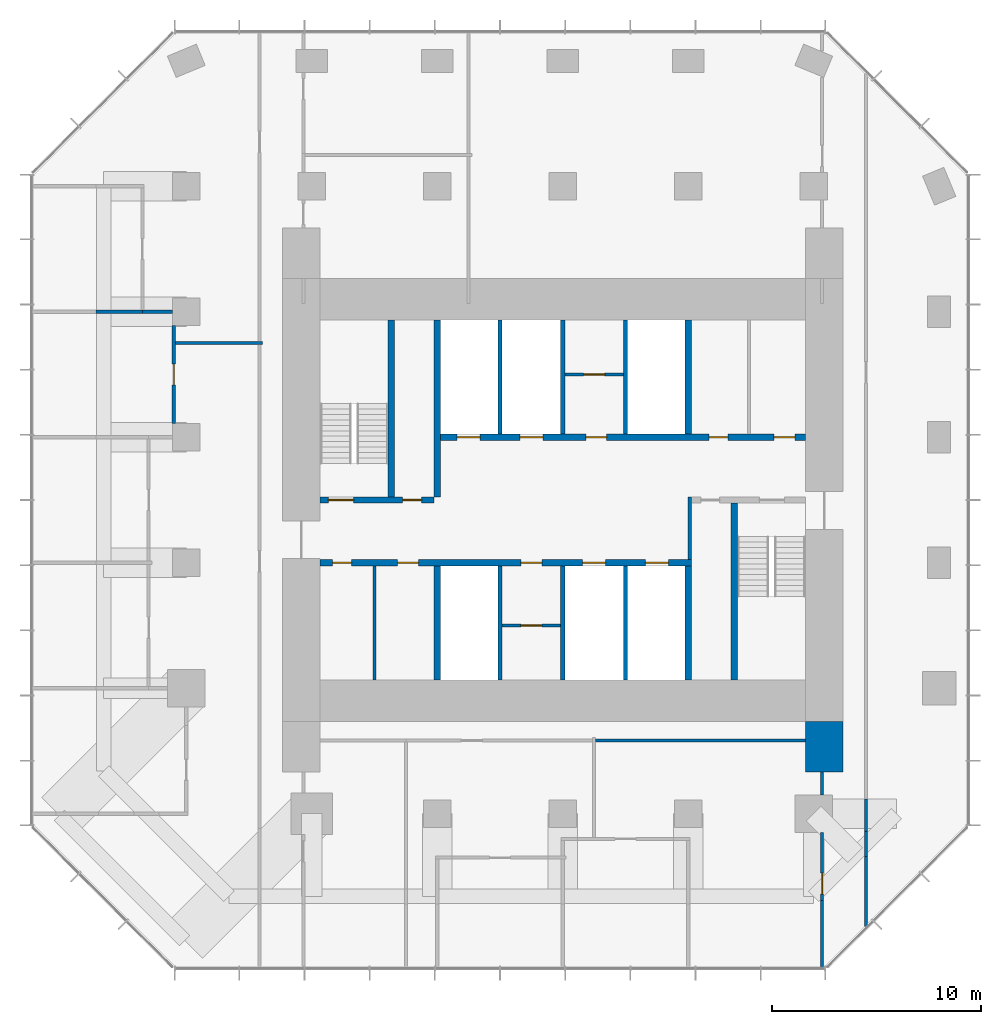
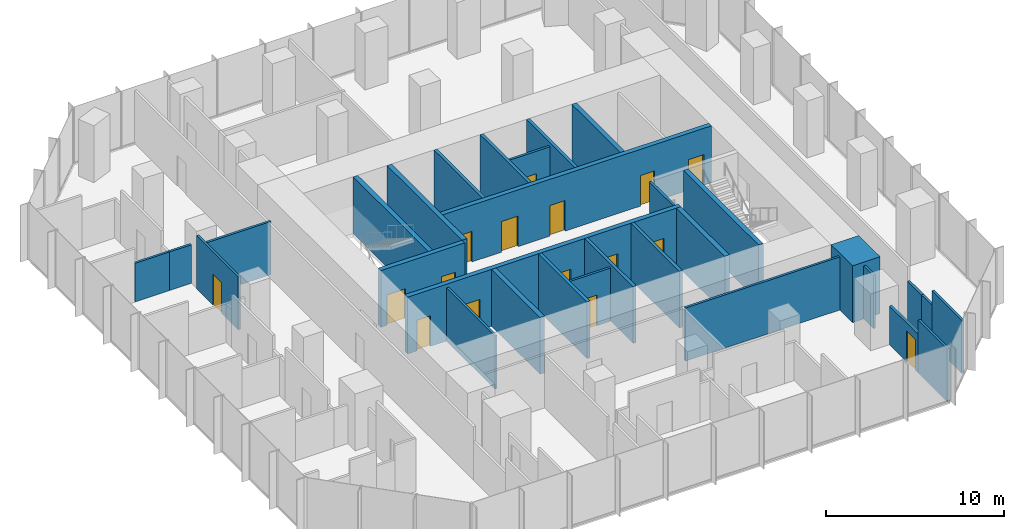
# One storey, part 9 of 11: 31 walls, 16 doors, 16 openings.
"""IFC4 building model written with IfcOpenShell, lengths in metres."""

from ifc_helpers import new_model, si_unit, direction, frame, frame_2d, origin, place, context, subcontext, project, spatial, rectangle, extrude, material, layer, layer_set, type_object, element, fill, save


model = new_model("IFC4")

# Units and contexts
model_context = context("Model", 3, precision=1e-05, world=origin(), true_north=direction((0.0, 1.0)))
body_context = subcontext(model_context, "Body", "Model", "MODEL_VIEW")
ifc_project = project(units=[si_unit("LENGTHUNIT", "METRE"), si_unit("AREAUNIT", "SQUARE_METRE"), si_unit("VOLUMEUNIT", "CUBIC_METRE"), si_unit("PLANEANGLEUNIT", "RADIAN"), si_unit("MASSUNIT", "GRAM", prefix="KILO")], contexts=[model_context])

# Site, building, storey
site_placement = place(None, origin())
site = spatial("IfcSite", under=ifc_project, at=site_placement, CompositionType="ELEMENT")
building_placement = place(site_placement, origin())
building = spatial("IfcBuilding", under=site, at=building_placement, Name="Highveld Stack Headquarters", CompositionType="ELEMENT")
storey_placement = place(building_placement, frame((0.0, 0.0, 227.89990234375)))
storey = spatial("IfcBuildingStorey", under=building, at=storey_placement, Name="L56", CompositionType="ELEMENT", Elevation=227.89990234375)

# Wall, openings, doors
ifc_material_1 = material(Name="Concrete C60/75", Category="concrete")
ifc_layer_1 = layer(ifc_material_1, 0.300048828125)
ifc_layer_set_1 = layer_set([ifc_layer_1], Name="Concrete C60/75")
wall_type_1 = type_object("IfcWallType", Name="CORE WALL 300 C60/75", PredefinedType="SHEAR", material=ifc_layer_set_1)
wall_1_placement = place(storey_placement, frame((-5.60009765625, 0.0, 0.0), z_axis=(0.0, 0.0, 1.0), x_axis=(1.0, 0.0, 0.0)))
wall_1 = element("IfcWall", 1, at=wall_1_placement, inside=storey, type_object=wall_type_1, Name="Core wall I-Y0 L56", PredefinedType="SHEAR", context=body_context, shape_type="SweptSolid", body=[
    extrude(rectangle(XDim=17.75, YDim=0.300048828125, at=frame_2d((8.875, 0.0))), origin(), (0.0, 0.0, 1.0), 3.900146484375),
])
opening_1_placement = place(wall_1_placement, frame((0.60009765625, 0.0, 0.0)))
opening_1 = element("IfcOpeningElement", 2, at=opening_1_placement, cuts=wall_1, Name="Opening L56-07", PredefinedType="OPENING", context=body_context, shape_type="SweptSolid", body=[
    extrude(rectangle(XDim=0.89990234375, YDim=2.10009765625, at=frame_2d((0.449951171875, 1.050048828125))), frame((0.0, 0.159912109375, 0.0), z_axis=(0.0, -1.0, 0.0), x_axis=(1.0, 0.0, 0.0)), (0.0, 0.0, 1.0), 0.320068359375),
])
opening_2_placement = place(wall_1_placement, frame((3.699951171875, 0.0, 0.0)))
opening_2 = element("IfcOpeningElement", 3, at=opening_2_placement, cuts=wall_1, Name="Opening L56-08", PredefinedType="OPENING", context=body_context, shape_type="SweptSolid", body=[
    extrude(rectangle(XDim=1.0, YDim=2.10009765625, at=frame_2d((0.5, 1.050048828125))), frame((0.0, 0.159912109375, 0.0), z_axis=(0.0, -1.0, 0.0), x_axis=(1.0, 0.0, 0.0)), (0.0, 0.0, 1.0), 0.320068359375),
])
opening_3_placement = place(wall_1_placement, frame((9.60009765625, 0.0, 0.0)))
opening_3 = element("IfcOpeningElement", 4, at=opening_3_placement, cuts=wall_1, Name="Opening L56-14", PredefinedType="OPENING", context=body_context, shape_type="SweptSolid", body=[
    extrude(rectangle(XDim=1.0, YDim=2.10009765625, at=frame_2d((0.5, 1.050048828125))), frame((0.0, 0.159912109375, 0.0), z_axis=(0.0, -1.0, 0.0), x_axis=(1.0, 0.0, 0.0)), (0.0, 0.0, 1.0), 0.320068359375),
])
opening_4_placement = place(wall_1_placement, frame((12.550048828125, 0.0, 0.0)))
opening_4 = element("IfcOpeningElement", 5, at=opening_4_placement, cuts=wall_1, Name="Opening LD", PredefinedType="OPENING", context=body_context, shape_type="SweptSolid", body=[
    extrude(rectangle(XDim=1.10009765625, YDim=2.10009765625, at=frame_2d((0.550048828125, 1.050048828125))), frame((0.0, 0.159912109375, 0.0), z_axis=(0.0, -1.0, 0.0), x_axis=(1.0, 0.0, 0.0)), (0.0, 0.0, 1.0), 0.320068359375),
])
opening_5_placement = place(wall_1_placement, frame((15.550048828125, 0.0, 0.0)))
opening_5 = element("IfcOpeningElement", 6, at=opening_5_placement, cuts=wall_1, Name="Opening LD", PredefinedType="OPENING", context=body_context, shape_type="SweptSolid", body=[
    extrude(rectangle(XDim=1.10009765625, YDim=2.10009765625, at=frame_2d((0.550048828125, 1.050048828125))), frame((0.0, 0.159912109375, 0.0), z_axis=(0.0, -1.0, 0.0), x_axis=(1.0, 0.0, 0.0)), (0.0, 0.0, 1.0), 0.320068359375),
])
ifc_material_2 = material(Name="Steel fire door", Category="steel")
door_type_1 = type_object("IfcDoorType", Name="CORE ROOM FIRE DOOR D14 1000x2100", OperationType="SINGLE_SWING_LEFT", PredefinedType="DOOR", material=ifc_material_2)
door_1_placement = place(opening_2_placement, origin())
door_1 = element("IfcDoor", 7, at=door_1_placement, inside=storey, type_object=door_type_1, Name="Cleaners store door L56", OperationType="SINGLE_SWING_LEFT", OverallHeight=2.10009765625, OverallWidth=1.0, PredefinedType="DOOR", context=body_context, shape_type="SweptSolid", body=[
    extrude(rectangle(XDim=1.0, YDim=2.10009765625, at=frame_2d((0.5, 1.050048828125))), frame((0.0, 0.02490234375, 0.0), z_axis=(0.0, -1.0, 0.0), x_axis=(1.0, 0.0, 0.0)), (0.0, 0.0, 1.0), 0.050048828125),
])
fill(opening_2, door_1)
door_2_placement = place(opening_3_placement, origin())
door_2 = element("IfcDoor", 8, at=door_2_placement, inside=storey, type_object=door_type_1, Name="Capped B 1 door L56", OperationType="SINGLE_SWING_RIGHT", OverallHeight=2.10009765625, OverallWidth=1.0, PredefinedType="DOOR", context=body_context, shape_type="SweptSolid", body=[
    extrude(rectangle(XDim=1.0, YDim=2.10009765625, at=frame_2d((0.5, 1.050048828125))), frame((0.0, 0.02490234375, 0.0), z_axis=(0.0, -1.0, 0.0), x_axis=(1.0, 0.0, 0.0)), (0.0, 0.0, 1.0), 0.050048828125),
])
fill(opening_3, door_2)
ifc_material_3 = material(Name="Stainless steel lift landing door", Category="steel")
door_type_2 = type_object("IfcDoorType", Name="LIFT LANDING DOOR LD 1100x2100", OperationType="DOUBLE_DOOR_SLIDING", PredefinedType="USERDEFINED", material=ifc_material_3)
door_3_placement = place(opening_4_placement, origin())
door_3 = element("IfcDoor", 9, at=door_3_placement, inside=storey, type_object=door_type_2, Name="Lift landing door C1 L56", ObjectType="LIFT LANDING DOOR", OperationType="DOUBLE_DOOR_SLIDING", OverallHeight=2.10009765625, OverallWidth=1.10009765625, PredefinedType="USERDEFINED", context=body_context, shape_type="SweptSolid", body=[
    extrude(rectangle(XDim=1.10009765625, YDim=2.10009765625, at=frame_2d((0.550048828125, 1.050048828125))), frame((0.0, 0.02490234375, 0.0), z_axis=(0.0, -1.0, 0.0), x_axis=(1.0, 0.0, 0.0)), (0.0, 0.0, 1.0), 0.050048828125),
])
fill(opening_4, door_3)
door_4_placement = place(opening_5_placement, origin())
door_4 = element("IfcDoor", 10, at=door_4_placement, inside=storey, type_object=door_type_2, Name="Lift landing door C2 L56", ObjectType="LIFT LANDING DOOR", OperationType="DOUBLE_DOOR_SLIDING", OverallHeight=2.10009765625, OverallWidth=1.10009765625, PredefinedType="USERDEFINED", context=body_context, shape_type="SweptSolid", body=[
    extrude(rectangle(XDim=1.10009765625, YDim=2.10009765625, at=frame_2d((0.550048828125, 1.050048828125))), frame((0.0, 0.02490234375, 0.0), z_axis=(0.0, -1.0, 0.0), x_axis=(1.0, 0.0, 0.0)), (0.0, 0.0, 1.0), 0.050048828125),
])
fill(opening_5, door_4)
ifc_material_4 = material(Name="Timber door, painted", Category="wood")
door_type_3 = type_object("IfcDoorType", Name="WC DOOR D1 900x2100", OperationType="SINGLE_SWING_LEFT", PredefinedType="DOOR", material=ifc_material_4)
door_5_placement = place(opening_1_placement, origin())
door_5 = element("IfcDoor", 11, at=door_5_placement, inside=storey, type_object=door_type_3, Name="Female WC door L56", OperationType="SINGLE_SWING_LEFT", OverallHeight=2.10009765625, OverallWidth=0.89990234375, PredefinedType="DOOR", context=body_context, shape_type="SweptSolid", body=[
    extrude(rectangle(XDim=0.89990234375, YDim=2.10009765625, at=frame_2d((0.449951171875, 1.050048828125))), frame((0.0, 0.02490234375, 0.0), z_axis=(0.0, -1.0, 0.0), x_axis=(1.0, 0.0, 0.0)), (0.0, 0.0, 1.0), 0.050048828125),
])
fill(opening_1, door_5)

wall_2_placement = place(storey_placement, frame((-5.60009765625, 3.0, 0.0), z_axis=(0.0, 0.0, 1.0), x_axis=(1.0, 0.0, 0.0)))
wall_2 = element("IfcWall", 12, at=wall_2_placement, inside=storey, type_object=wall_type_1, Name="Core wall I-Y3W L56", PredefinedType="SHEAR", context=body_context, shape_type="SweptSolid", body=[
    extrude(rectangle(XDim=5.4501953125, YDim=0.300048828125, at=frame_2d((2.72509765625, 0.0))), origin(), (0.0, 0.0, 1.0), 3.900146484375),
])
opening_6_placement = place(wall_2_placement, frame((0.39990234375, 0.0, 0.0)))
opening_6 = element("IfcOpeningElement", 13, at=opening_6_placement, cuts=wall_2, Name="Opening L56-03", PredefinedType="OPENING", context=body_context, shape_type="SweptSolid", body=[
    extrude(rectangle(XDim=1.199951171875, YDim=2.10009765625, at=frame_2d((0.60009765625, 1.050048828125))), frame((0.0, 0.159912109375, 0.0), z_axis=(0.0, -1.0, 0.0), x_axis=(1.0, 0.0, 0.0)), (0.0, 0.0, 1.0), 0.320068359375),
])
opening_7_placement = place(wall_2_placement, frame((3.949951171875, 0.0, 0.0)))
opening_7 = element("IfcOpeningElement", 14, at=opening_7_placement, cuts=wall_2, Name="Opening L56-04", PredefinedType="OPENING", context=body_context, shape_type="SweptSolid", body=[
    extrude(rectangle(XDim=0.89990234375, YDim=2.10009765625, at=frame_2d((0.449951171875, 1.050048828125))), frame((0.0, 0.159912109375, 0.0), z_axis=(0.0, -1.0, 0.0), x_axis=(1.0, 0.0, 0.0)), (0.0, 0.0, 1.0), 0.320068359375),
])
ifc_material_5 = material(Name="Steel fire door", Category="steel")
door_type_4 = type_object("IfcDoorType", Name="RISER ACCESS DOOR D5 900x2100", OperationType="SINGLE_SWING_LEFT", PredefinedType="DOOR", material=ifc_material_5)
door_6_placement = place(opening_7_placement, origin())
door_6 = element("IfcDoor", 15, at=door_6_placement, inside=storey, type_object=door_type_4, Name="Riser R1 door L56", OperationType="SINGLE_SWING_RIGHT", OverallHeight=2.10009765625, OverallWidth=0.89990234375, PredefinedType="DOOR", context=body_context, shape_type="SweptSolid", body=[
    extrude(rectangle(XDim=0.89990234375, YDim=2.10009765625, at=frame_2d((0.449951171875, 1.050048828125))), frame((0.0, 0.02490234375, 0.0), z_axis=(0.0, -1.0, 0.0), x_axis=(1.0, 0.0, 0.0)), (0.0, 0.0, 1.0), 0.050048828125),
])
fill(opening_7, door_6)
ifc_material_6 = material(Name="Steel fire door", Category="steel")
door_type_5 = type_object("IfcDoorType", Name="STAIR FIRE DOOR D3 1200x2100", OperationType="SINGLE_SWING_LEFT", PredefinedType="DOOR", material=ifc_material_6)
door_7_placement = place(opening_6_placement, origin())
door_7 = element("IfcDoor", 16, at=door_7_placement, inside=storey, type_object=door_type_5, Name="Stair S1 door L56", OperationType="SINGLE_SWING_LEFT", OverallHeight=2.10009765625, OverallWidth=1.199951171875, PredefinedType="DOOR", context=body_context, shape_type="SweptSolid", body=[
    extrude(rectangle(XDim=1.199951171875, YDim=2.10009765625, at=frame_2d((0.60009765625, 1.050048828125))), frame((0.0, 0.02490234375, 0.0), z_axis=(0.0, -1.0, 0.0), x_axis=(1.0, 0.0, 0.0)), (0.0, 0.0, 1.0), 0.050048828125),
])
fill(opening_6, door_7)

wall_3_placement = place(storey_placement, frame((-0.14990234375, 6.0, 0.0), z_axis=(0.0, 0.0, 1.0), x_axis=(1.0, 0.0, 0.0)))
wall_3 = element("IfcWall", 17, at=wall_3_placement, inside=storey, type_object=wall_type_1, Name="Core wall I-Y6 L56", PredefinedType="SHEAR", context=body_context, shape_type="SweptSolid", body=[
    extrude(rectangle(XDim=17.75, YDim=0.300048828125, at=frame_2d((8.875, 0.0))), origin(), (0.0, 0.0, 1.0), 3.900146484375),
])
opening_8_placement = place(wall_3_placement, frame((13.14990234375, 0.0, 0.0)))
opening_8 = element("IfcOpeningElement", 18, at=opening_8_placement, cuts=wall_3, Name="Opening L56-09", PredefinedType="OPENING", context=body_context, shape_type="SweptSolid", body=[
    extrude(rectangle(XDim=0.89990234375, YDim=2.10009765625, at=frame_2d((0.449951171875, 1.050048828125))), frame((0.0, 0.159912109375, 0.0), z_axis=(0.0, -1.0, 0.0), x_axis=(1.0, 0.0, 0.0)), (0.0, 0.0, 1.0), 0.320068359375),
])
opening_9_placement = place(wall_3_placement, frame((16.25, 0.0, 0.0)))
opening_9 = element("IfcOpeningElement", 19, at=opening_9_placement, cuts=wall_3, Name="Opening L56-10", PredefinedType="OPENING", context=body_context, shape_type="SweptSolid", body=[
    extrude(rectangle(XDim=1.0, YDim=2.10009765625, at=frame_2d((0.5, 1.050048828125))), frame((0.0, 0.159912109375, 0.0), z_axis=(0.0, -1.0, 0.0), x_axis=(1.0, 0.0, 0.0)), (0.0, 0.0, 1.0), 0.320068359375),
])
opening_10_placement = place(wall_3_placement, frame((7.25, 0.0, 0.0)))
opening_10 = element("IfcOpeningElement", 20, at=opening_10_placement, cuts=wall_3, Name="Opening L56-12", PredefinedType="OPENING", context=body_context, shape_type="SweptSolid", body=[
    extrude(rectangle(XDim=1.0, YDim=2.10009765625, at=frame_2d((0.5, 1.050048828125))), frame((0.0, 0.159912109375, 0.0), z_axis=(0.0, -1.0, 0.0), x_axis=(1.0, 0.0, 0.0)), (0.0, 0.0, 1.0), 0.320068359375),
])
opening_11_placement = place(wall_3_placement, frame((1.10009765625, 0.0, 0.0)))
opening_11 = element("IfcOpeningElement", 21, at=opening_11_placement, cuts=wall_3, Name="Opening LD", PredefinedType="OPENING", context=body_context, shape_type="SweptSolid", body=[
    extrude(rectangle(XDim=1.10009765625, YDim=2.10009765625, at=frame_2d((0.550048828125, 1.050048828125))), frame((0.0, 0.159912109375, 0.0), z_axis=(0.0, -1.0, 0.0), x_axis=(1.0, 0.0, 0.0)), (0.0, 0.0, 1.0), 0.320068359375),
])
opening_12_placement = place(wall_3_placement, frame((4.10009765625, 0.0, 0.0)))
opening_12 = element("IfcOpeningElement", 22, at=opening_12_placement, cuts=wall_3, Name="Opening LD", PredefinedType="OPENING", context=body_context, shape_type="SweptSolid", body=[
    extrude(rectangle(XDim=1.10009765625, YDim=2.10009765625, at=frame_2d((0.550048828125, 1.050048828125))), frame((0.0, 0.159912109375, 0.0), z_axis=(0.0, -1.0, 0.0), x_axis=(1.0, 0.0, 0.0)), (0.0, 0.0, 1.0), 0.320068359375),
])
ifc_material_7 = material(Name="Timber door, painted", Category="wood")
door_type_6 = type_object("IfcDoorType", Name="ACCESSIBLE WC DOOR D2 1000x2100", OperationType="SINGLE_SWING_RIGHT", PredefinedType="DOOR", material=ifc_material_7)
door_8_placement = place(opening_9_placement, origin())
door_8 = element("IfcDoor", 23, at=door_8_placement, inside=storey, type_object=door_type_6, Name="Accessible WC door L56", OperationType="SINGLE_SWING_RIGHT", OverallHeight=2.10009765625, OverallWidth=1.0, PredefinedType="DOOR", context=body_context, shape_type="SweptSolid", body=[
    extrude(rectangle(XDim=1.0, YDim=2.10009765625, at=frame_2d((0.5, 1.050048828125))), frame((0.0, 0.02490234375, 0.0), z_axis=(0.0, -1.0, 0.0), x_axis=(1.0, 0.0, 0.0)), (0.0, 0.0, 1.0), 0.050048828125),
])
fill(opening_9, door_8)
door_9_placement = place(opening_10_placement, origin())
door_9 = element("IfcDoor", 24, at=door_9_placement, inside=storey, type_object=door_type_1, Name="Capped A 1 door L56", OperationType="SINGLE_SWING_LEFT", OverallHeight=2.10009765625, OverallWidth=1.0, PredefinedType="DOOR", context=body_context, shape_type="SweptSolid", body=[
    extrude(rectangle(XDim=1.0, YDim=2.10009765625, at=frame_2d((0.5, 1.050048828125))), frame((0.0, 0.02490234375, 0.0), z_axis=(0.0, -1.0, 0.0), x_axis=(1.0, 0.0, 0.0)), (0.0, 0.0, 1.0), 0.050048828125),
])
fill(opening_10, door_9)
door_10_placement = place(opening_11_placement, origin())
door_10 = element("IfcDoor", 25, at=door_10_placement, inside=storey, type_object=door_type_2, Name="Lift landing door FF1 L56", ObjectType="LIFT LANDING DOOR", OperationType="DOUBLE_DOOR_SLIDING", OverallHeight=2.10009765625, OverallWidth=1.10009765625, PredefinedType="USERDEFINED", context=body_context, shape_type="SweptSolid", body=[
    extrude(rectangle(XDim=1.10009765625, YDim=2.10009765625, at=frame_2d((0.550048828125, 1.050048828125))), frame((0.0, 0.02490234375, 0.0), z_axis=(0.0, -1.0, 0.0), x_axis=(1.0, 0.0, 0.0)), (0.0, 0.0, 1.0), 0.050048828125),
])
fill(opening_11, door_10)
door_11_placement = place(opening_12_placement, origin())
door_11 = element("IfcDoor", 26, at=door_11_placement, inside=storey, type_object=door_type_2, Name="Lift landing door FF2 L56", ObjectType="LIFT LANDING DOOR", OperationType="DOUBLE_DOOR_SLIDING", OverallHeight=2.10009765625, OverallWidth=1.10009765625, PredefinedType="USERDEFINED", context=body_context, shape_type="SweptSolid", body=[
    extrude(rectangle(XDim=1.10009765625, YDim=2.10009765625, at=frame_2d((0.550048828125, 1.050048828125))), frame((0.0, 0.02490234375, 0.0), z_axis=(0.0, -1.0, 0.0), x_axis=(1.0, 0.0, 0.0)), (0.0, 0.0, 1.0), 0.050048828125),
])
fill(opening_12, door_11)
door_12_placement = place(opening_8_placement, origin())
door_12 = element("IfcDoor", 27, at=door_12_placement, inside=storey, type_object=door_type_3, Name="Male WC door L56", OperationType="SINGLE_SWING_RIGHT", OverallHeight=2.10009765625, OverallWidth=0.89990234375, PredefinedType="DOOR", context=body_context, shape_type="SweptSolid", body=[
    extrude(rectangle(XDim=0.89990234375, YDim=2.10009765625, at=frame_2d((0.449951171875, 1.050048828125))), frame((0.0, 0.02490234375, 0.0), z_axis=(0.0, -1.0, 0.0), x_axis=(1.0, 0.0, 0.0)), (0.0, 0.0, 1.0), 0.050048828125),
])
fill(opening_8, door_12)

# Walls
wall_4_placement = place(storey_placement, frame((0.0, -5.60009765625, 0.0), z_axis=(0.0, 0.0, 1.0), x_axis=(0.0, 1.0, 0.0)))
element("IfcWall", 28, at=wall_4_placement, inside=storey, type_object=wall_type_1, Name="Core wall I-X0S L56", PredefinedType="SHEAR", context=body_context, shape_type="SweptSolid", body=[
    extrude(rectangle(XDim=5.4501953125, YDim=0.300048828125, at=frame_2d((2.72509765625, 0.0))), origin(), (0.0, 0.0, 1.0), 3.900146484375),
])
wall_5_placement = place(storey_placement, frame((0.0, 3.14990234375, 0.0), z_axis=(0.0, 0.0, 1.0), x_axis=(0.0, 1.0, 0.0)))
element("IfcWall", 29, at=wall_5_placement, inside=storey, type_object=wall_type_1, Name="Core wall I-X0N L56", PredefinedType="SHEAR", context=body_context, shape_type="SweptSolid", body=[
    extrude(rectangle(XDim=8.4501953125, YDim=0.300048828125, at=frame_2d((4.22509765625, 0.0))), origin(), (0.0, 0.0, 1.0), 3.900146484375),
])
for number, where, z_axis, x_axis, name in (
    (30, (12.0, -5.60009765625, 0.0), (0.0, 0.0, 1.0), (0.0, 1.0, 0.0), "Core wall I-X12S L56"),
    (31, (12.0, 6.14990234375, 0.0), (0.0, 0.0, 1.0), (0.0, 1.0, 0.0), "Core wall I-X12N L56"),
):
    element("IfcWall", number, at=place(storey_placement, frame(where, z_axis=z_axis, x_axis=x_axis)), inside=storey, type_object=wall_type_1, Name=name, PredefinedType="SHEAR", context=body_context, shape_type="SweptSolid", body=[
        extrude(rectangle(XDim=5.4501953125, YDim=0.300048828125, at=frame_2d((2.72509765625, 0.0))), origin(), (0.0, 0.0, 1.0), 3.900146484375),
    ])
for number, where, z_axis, x_axis, name in (
    (32, (-2.199951171875, 3.14990234375, 0.0), (0.0, 0.0, 1.0), (0.0, 1.0, 0.0), "Core wall I-RW L56"),
    (33, (14.199951171875, -5.60009765625, 0.0), (0.0, 0.0, 1.0), (0.0, 1.0, 0.0), "Core wall I-RE L56"),
):
    element("IfcWall", number, at=place(storey_placement, frame(where, z_axis=z_axis, x_axis=x_axis)), inside=storey, type_object=wall_type_1, Name=name, PredefinedType="SHEAR", context=body_context, shape_type="SweptSolid", body=[
        extrude(rectangle(XDim=8.4501953125, YDim=0.300048828125, at=frame_2d((4.22509765625, 0.0))), origin(), (0.0, 0.0, 1.0), 3.900146484375),
    ])
ifc_material_8 = material(Name="Concrete C60/75", Category="concrete")
ifc_layer_2 = layer(ifc_material_8, 1.800048828125)
ifc_layer_set_2 = layer_set([ifc_layer_2], Name="Concrete C60/75")
wall_type_2 = type_object("IfcWallType", Name="CORE WING WALL 1800 C60/75", PredefinedType="SHEAR", material=ifc_layer_set_2)
wall_6_placement = place(storey_placement, frame((18.5, -10.0, 0.0), z_axis=(0.0, 0.0, 1.0), x_axis=(0.0, 1.0, 0.0)))
element("IfcWall", 34, at=wall_6_placement, inside=storey, type_object=wall_type_2, Name="Core wing wall ES L56", PredefinedType="SHEAR", context=body_context, shape_type="SweptSolid", body=[
    extrude(rectangle(XDim=2.39990234375, YDim=1.800048828125, at=frame_2d((1.199951171875, 0.0))), origin(), (0.0, 0.0, 1.0), 3.900146484375),
])

# Wall, opening, door
ifc_material_9 = material(Name="Concrete blockwork, plastered", Category="masonry")
ifc_layer_3 = layer(ifc_material_9, 0.14990234375)
ifc_layer_set_3 = layer_set([ifc_layer_3], Name="Concrete blockwork, plastered")
wall_type_3 = type_object("IfcWallType", Name="FIRE PARTITION 150 BLOCKWORK", PredefinedType="PARTITIONING", material=ifc_layer_set_3)
wall_7_placement = place(storey_placement, frame((6.10009765625, 9.0, 0.0), z_axis=(0.0, 0.0, 1.0), x_axis=(1.0, 0.0, 0.0)))
wall_7 = element("IfcWall", 35, at=wall_7_placement, inside=storey, type_object=wall_type_3, Name="Core room partition L56", PredefinedType="PARTITIONING", context=body_context, shape_type="SweptSolid", body=[
    extrude(rectangle(XDim=2.7998046875, YDim=0.14990234375, at=frame_2d((1.39990234375, 0.0))), origin(), (0.0, 0.0, 1.0), 3.650146484375),
])
opening_13_placement = place(wall_7_placement, frame((0.89990234375, 0.0, 0.0)))
opening_13 = element("IfcOpeningElement", 36, at=opening_13_placement, cuts=wall_7, Name="Opening L56-11", PredefinedType="OPENING", context=body_context, shape_type="SweptSolid", body=[
    extrude(rectangle(XDim=1.0, YDim=2.10009765625, at=frame_2d((0.5, 1.050048828125))), frame((0.0, 0.0849609375, 0.0), z_axis=(0.0, -1.0, 0.0), x_axis=(1.0, 0.0, 0.0)), (0.0, 0.0, 1.0), 0.169921875),
])
door_13_placement = place(opening_13_placement, origin())
door_13 = element("IfcDoor", 37, at=door_13_placement, inside=storey, type_object=door_type_1, Name="Capped A 2 door L56", OperationType="SINGLE_SWING_LEFT", OverallHeight=2.10009765625, OverallWidth=1.0, PredefinedType="DOOR", context=body_context, shape_type="SweptSolid", body=[
    extrude(rectangle(XDim=1.0, YDim=2.10009765625, at=frame_2d((0.5, 1.050048828125))), frame((0.0, 0.02490234375, 0.0), z_axis=(0.0, -1.0, 0.0), x_axis=(1.0, 0.0, 0.0)), (0.0, 0.0, 1.0), 0.050048828125),
])
fill(opening_13, door_13)

wall_8_placement = place(storey_placement, frame((3.10009765625, -3.0, 0.0), z_axis=(0.0, 0.0, 1.0), x_axis=(1.0, 0.0, 0.0)))
wall_8 = element("IfcWall", 38, at=wall_8_placement, inside=storey, type_object=wall_type_3, Name="Core room partition L56", PredefinedType="PARTITIONING", context=body_context, shape_type="SweptSolid", body=[
    extrude(rectangle(XDim=2.7998046875, YDim=0.14990234375, at=frame_2d((1.39990234375, 0.0))), origin(), (0.0, 0.0, 1.0), 3.650146484375),
])
opening_14_placement = place(wall_8_placement, frame((0.89990234375, 0.0, 0.0)))
opening_14 = element("IfcOpeningElement", 39, at=opening_14_placement, cuts=wall_8, Name="Opening L56-13", PredefinedType="OPENING", context=body_context, shape_type="SweptSolid", body=[
    extrude(rectangle(XDim=1.0, YDim=2.10009765625, at=frame_2d((0.5, 1.050048828125))), frame((0.0, 0.0849609375, 0.0), z_axis=(0.0, -1.0, 0.0), x_axis=(1.0, 0.0, 0.0)), (0.0, 0.0, 1.0), 0.169921875),
])
door_14_placement = place(opening_14_placement, origin())
door_14 = element("IfcDoor", 40, at=door_14_placement, inside=storey, type_object=door_type_1, Name="Capped B 2 door L56", OperationType="SINGLE_SWING_LEFT", OverallHeight=2.10009765625, OverallWidth=1.0, PredefinedType="DOOR", context=body_context, shape_type="SweptSolid", body=[
    extrude(rectangle(XDim=1.0, YDim=2.10009765625, at=frame_2d((0.5, 1.050048828125))), frame((0.0, 0.02490234375, 0.0), z_axis=(0.0, -1.0, 0.0), x_axis=(1.0, 0.0, 0.0)), (0.0, 0.0, 1.0), 0.050048828125),
])
fill(opening_14, door_14)

# Wall
wall_9_placement = place(storey_placement, frame((12.074951171875, 0.14990234375, 0.0), z_axis=(0.0, 0.0, 1.0), x_axis=(0.0, 1.0, 0.0)))
element("IfcWall", 41, at=wall_9_placement, inside=storey, type_object=wall_type_3, Name="Riser R2 enclosure L56", PredefinedType="PARTITIONING", context=body_context, shape_type="SweptSolid", body=[
    extrude(rectangle(XDim=3.0, YDim=0.14990234375, at=frame_2d((1.5, 0.0))), origin(), (0.0, 0.0, 1.0), 3.650146484375),
])

# Wall, opening, door
ifc_material_10 = material(Name="Laminated glass in aluminium frame", Category="aluminium")
ifc_layer_4 = layer(ifc_material_10, 0.14990234375)
ifc_layer_set_4 = layer_set([ifc_layer_4], Name="Laminated glass in aluminium frame")
wall_type_4 = type_object("IfcWallType", Name="GLAZED PARTITION 150", PredefinedType="PARTITIONING", material=ifc_layer_set_4)
wall_10_placement = place(storey_placement, frame((-12.60009765625, 6.659912109375, 0.0), z_axis=(0.0, 0.0, 1.0), x_axis=(0.0, 1.0, 0.0)))
wall_10 = element("IfcWall", 42, at=wall_10_placement, inside=storey, type_object=wall_type_4, Name="Glazed partition Video conference room L56", PredefinedType="PARTITIONING", context=body_context, shape_type="SweptSolid", body=[
    extrude(rectangle(XDim=4.68017578125, YDim=0.14990234375, at=frame_2d((2.340087890625, 0.0))), origin(), (0.0, 0.0, 1.0), 3.650146484375),
])
opening_15_placement = place(wall_10_placement, frame((1.840087890625, 0.0, 0.0)))
opening_15 = element("IfcOpeningElement", 43, at=opening_15_placement, cuts=wall_10, Name="Opening L56-20", PredefinedType="OPENING", context=body_context, shape_type="SweptSolid", body=[
    extrude(rectangle(XDim=1.0, YDim=2.10009765625, at=frame_2d((0.5, 1.050048828125))), frame((0.0, 0.0849609375, 0.0), z_axis=(0.0, -1.0, 0.0), x_axis=(1.0, 0.0, 0.0)), (0.0, 0.0, 1.0), 0.169921875),
])
ifc_material_11 = material(Name="Timber door, oiled ash", Category="wood")
door_type_7 = type_object("IfcDoorType", Name="ROOM DOOR D6 1000x2100", OperationType="SINGLE_SWING_LEFT", PredefinedType="DOOR", material=ifc_material_11)
door_15_placement = place(opening_15_placement, origin())
door_15 = element("IfcDoor", 44, at=door_15_placement, inside=storey, type_object=door_type_7, Name="Video conference room door 1 L56", OperationType="SINGLE_SWING_LEFT", OverallHeight=2.10009765625, OverallWidth=1.0, PredefinedType="DOOR", context=body_context, shape_type="SweptSolid", body=[
    extrude(rectangle(XDim=1.0, YDim=2.10009765625, at=frame_2d((0.5, 1.050048828125))), frame((0.0, 0.02490234375, 0.0), z_axis=(0.0, -1.0, 0.0), x_axis=(1.0, 0.0, 0.0)), (0.0, 0.0, 1.0), 0.050048828125),
])
fill(opening_15, door_15)

# Walls
ifc_material_12 = material(Name="Concrete blockwork, fair-faced", Category="masonry")
ifc_layer_5 = layer(ifc_material_12, 0.199951171875)
ifc_layer_set_5 = layer_set([ifc_layer_5], Name="Concrete blockwork, fair-faced")
wall_type_5 = type_object("IfcWallType", Name="LIFT SHAFT ENCLOSURE WALL 200 BLOCKWORK", PredefinedType="SOLIDWALL", material=ifc_layer_set_5)
for number, where, z_axis, x_axis, name in (
    (45, (3.0, 6.14990234375, 0.0), (0.0, 0.0, 1.0), (0.0, 1.0, 0.0), "Lift shaft wall L56"),
    (46, (6.0, 6.14990234375, 0.0), (0.0, 0.0, 1.0), (0.0, 1.0, 0.0), "Lift shaft wall L56"),
    (47, (9.0, 6.14990234375, 0.0), (0.0, 0.0, 1.0), (0.0, 1.0, 0.0), "Lift shaft wall L56"),
    (48, (3.0, -5.60009765625, 0.0), (0.0, 0.0, 1.0), (0.0, 1.0, 0.0), "Lift shaft wall L56"),
    (49, (6.0, -5.60009765625, 0.0), (0.0, 0.0, 1.0), (0.0, 1.0, 0.0), "Lift shaft wall L56"),
    (50, (9.0, -5.60009765625, 0.0), (0.0, 0.0, 1.0), (0.0, 1.0, 0.0), "Lift shaft wall L56"),
):
    element("IfcWall", number, at=place(storey_placement, frame(where, z_axis=z_axis, x_axis=x_axis)), inside=storey, type_object=wall_type_5, Name=name, PredefinedType="SOLIDWALL", context=body_context, shape_type="SweptSolid", body=[
        extrude(rectangle(XDim=5.4501953125, YDim=0.199951171875, at=frame_2d((2.72509765625, 0.0))), origin(), (0.0, 0.0, 1.0), 3.900146484375),
    ])
ifc_material_13 = material(Name="Gypsum plasterboard on steel studs", Category="steel")
ifc_layer_6 = layer(ifc_material_13, 0.14990234375)
ifc_layer_set_6 = layer_set([ifc_layer_6], Name="Gypsum plasterboard on steel studs")
wall_type_6 = type_object("IfcWallType", Name="PARTITION 150 PLASTERBOARD", PredefinedType="PARTITIONING", material=ifc_layer_set_6)
wall_11_placement = place(storey_placement, frame((-16.31005859375, 12.0, 0.0), z_axis=(0.0, 0.0, 1.0), x_axis=(1.0, 0.0, 0.0)))
element("IfcWall", 51, at=wall_11_placement, inside=storey, type_object=wall_type_6, Name="Partition Focus room / Video conference room L56", PredefinedType="PARTITIONING", context=body_context, shape_type="SweptSolid", body=[
    extrude(rectangle(XDim=2.28515625, YDim=0.14990234375, at=frame_2d((1.142578125, 0.0))), origin(), (0.0, 0.0, 1.0), 2.650146484375),
])
wall_12_placement = place(storey_placement, frame((-14.10009765625, 12.0, 0.0), z_axis=(0.0, 0.0, 1.0), x_axis=(1.0, 0.0, 0.0)))
element("IfcWall", 52, at=wall_12_placement, inside=storey, type_object=wall_type_6, Name="Partition Video conference room L56", PredefinedType="PARTITIONING", context=body_context, shape_type="SweptSolid", body=[
    extrude(rectangle(XDim=1.4501953125, YDim=0.14990234375, at=frame_2d((0.72509765625, 0.0))), origin(), (0.0, 0.0, 1.0), 2.650146484375),
])
wall_13_placement = place(storey_placement, frame((-12.52490234375, 10.5, 0.0), z_axis=(0.0, 0.0, 1.0), x_axis=(1.0, 0.0, 0.0)))
element("IfcWall", 53, at=wall_13_placement, inside=storey, type_object=wall_type_6, Name="Partition office neighbourhood L56", PredefinedType="PARTITIONING", context=body_context, shape_type="SweptSolid", body=[
    extrude(rectangle(XDim=4.1748046875, YDim=0.14990234375, at=frame_2d((2.08740234375, 0.0))), origin(), (0.0, 0.0, 1.0), 3.650146484375),
])
wall_14_placement = place(storey_placement, frame((7.574951171875, -8.5, 0.0), z_axis=(0.0, 0.0, 1.0), x_axis=(1.0, 0.0, 0.0)))
element("IfcWall", 54, at=wall_14_placement, inside=storey, type_object=wall_type_6, Name="Partition office neighbourhood L56", PredefinedType="PARTITIONING", context=body_context, shape_type="SweptSolid", body=[
    extrude(rectangle(XDim=10.025146484375, YDim=0.14990234375, at=frame_2d((5.0126953125, 0.0))), origin(), (0.0, 0.0, 1.0), 3.650146484375),
])
wall_15_placement = place(storey_placement, frame((18.39990234375, -19.39990234375, 0.0), z_axis=(0.0, 0.0, 1.0), x_axis=(0.0, 1.0, 0.0)))
element("IfcWall", 55, at=wall_15_placement, inside=storey, type_object=wall_type_6, Name="Partition office neighbourhood L56", PredefinedType="PARTITIONING", context=body_context, shape_type="SweptSolid", body=[
    extrude(rectangle(XDim=3.260009765625, YDim=0.14990234375, at=frame_2d((1.6298828125, 0.0))), origin(), (0.0, 0.0, 1.0), 3.650146484375),
])

# Wall, opening, door
wall_16_placement = place(storey_placement, frame((18.39990234375, -16.139892578125, 0.0), z_axis=(0.0, 0.0, 1.0), x_axis=(0.0, 1.0, 0.0)))
wall_16 = element("IfcWall", 56, at=wall_16_placement, inside=storey, type_object=wall_type_6, Name="Partition office neighbourhood L56", PredefinedType="PARTITIONING", context=body_context, shape_type="SweptSolid", body=[
    extrude(rectangle(XDim=3.239990234375, YDim=0.14990234375, at=frame_2d((1.6201171875, 0.0))), origin(), (0.0, 0.0, 1.0), 2.650146484375),
])
opening_16_placement = place(wall_16_placement, frame((0.300048828125, 0.0, 0.0)))
opening_16 = element("IfcOpeningElement", 57, at=opening_16_placement, cuts=wall_16, Name="Opening L56-28", PredefinedType="OPENING", context=body_context, shape_type="SweptSolid", body=[
    extrude(rectangle(XDim=1.0, YDim=2.10009765625, at=frame_2d((0.5, 1.050048828125))), frame((0.0, 0.0849609375, 0.0), z_axis=(0.0, -1.0, 0.0), x_axis=(1.0, 0.0, 0.0)), (0.0, 0.0, 1.0), 0.169921875),
])
door_16_placement = place(opening_16_placement, origin())
door_16 = element("IfcDoor", 58, at=door_16_placement, inside=storey, type_object=door_type_7, Name="Office neighbourhood door L56", OperationType="SINGLE_SWING_LEFT", OverallHeight=2.10009765625, OverallWidth=1.0, PredefinedType="DOOR", context=body_context, shape_type="SweptSolid", body=[
    extrude(rectangle(XDim=1.0, YDim=2.10009765625, at=frame_2d((0.5, 1.050048828125))), frame((0.0, 0.02490234375, 0.0), z_axis=(0.0, -1.0, 0.0), x_axis=(1.0, 0.0, 0.0)), (0.0, 0.0, 1.0), 0.050048828125),
])
fill(opening_16, door_16)

# Walls
wall_17_placement = place(storey_placement, frame((18.39990234375, -11.10009765625, 0.0), z_axis=(0.0, 0.0, 1.0), x_axis=(0.0, 1.0, 0.0)))
element("IfcWall", 59, at=wall_17_placement, inside=storey, type_object=wall_type_6, Name="Partition office neighbourhood L56", PredefinedType="PARTITIONING", context=body_context, shape_type="SweptSolid", body=[
    extrude(rectangle(XDim=1.10009765625, YDim=0.14990234375, at=frame_2d((0.550048828125, 0.0))), origin(), (0.0, 0.0, 1.0), 3.650146484375),
])
wall_18_placement = place(storey_placement, frame((20.5, -17.387939453125, 0.0), z_axis=(0.0, 0.0, 1.0), x_axis=(0.0, 1.0, 0.0)))
element("IfcWall", 60, at=wall_18_placement, inside=storey, type_object=wall_type_6, Name="Partition office neighbourhood L56", PredefinedType="PARTITIONING", context=body_context, shape_type="SweptSolid", body=[
    extrude(rectangle(XDim=3.347900390625, YDim=0.14990234375, at=frame_2d((1.673828125, 0.0))), origin(), (0.0, 0.0, 1.0), 3.650146484375),
])
wall_19_placement = place(storey_placement, frame((20.5, -14.0400390625, 0.0), z_axis=(0.0, 0.0, 1.0), x_axis=(0.0, 1.0, 0.0)))
element("IfcWall", 61, at=wall_19_placement, inside=storey, type_object=wall_type_6, Name="Partition office neighbourhood L56", PredefinedType="PARTITIONING", context=body_context, shape_type="SweptSolid", body=[
    extrude(rectangle(XDim=1.179931640625, YDim=0.14990234375, at=frame_2d((0.58984375, 0.0))), origin(), (0.0, 0.0, 1.0), 2.650146484375),
])
wall_20_placement = place(storey_placement, frame((20.5, -12.860107421875, 0.0), z_axis=(0.0, 0.0, 1.0), x_axis=(0.0, 1.0, 0.0)))
element("IfcWall", 62, at=wall_20_placement, inside=storey, type_object=wall_type_6, Name="Partition office neighbourhood L56", PredefinedType="PARTITIONING", context=body_context, shape_type="SweptSolid", body=[
    extrude(rectangle(XDim=1.570068359375, YDim=0.14990234375, at=frame_2d((0.78515625, 0.0))), origin(), (0.0, 0.0, 1.0), 2.650146484375),
])
ifc_material_14 = material(Name="Concrete blockwork, tiled", Category="masonry")
ifc_layer_7 = layer(ifc_material_14, 0.14990234375)
ifc_layer_set_7 = layer_set([ifc_layer_7], Name="Concrete blockwork, tiled")
wall_type_7 = type_object("IfcWallType", Name="WC PARTITION 150", PredefinedType="PLUMBINGWALL", material=ifc_layer_set_7)
wall_21_placement = place(storey_placement, frame((-3.0, -5.60009765625, 0.0), z_axis=(0.0, 0.0, 1.0), x_axis=(0.0, 1.0, 0.0)))
element("IfcWall", 63, at=wall_21_placement, inside=storey, type_object=wall_type_7, Name="Toilet partition L56", PredefinedType="PLUMBINGWALL", context=body_context, shape_type="SweptSolid", body=[
    extrude(rectangle(XDim=5.4501953125, YDim=0.14990234375, at=frame_2d((2.72509765625, 0.0))), origin(), (0.0, 0.0, 1.0), 3.650146484375),
])

save(model, "model.ifc")
